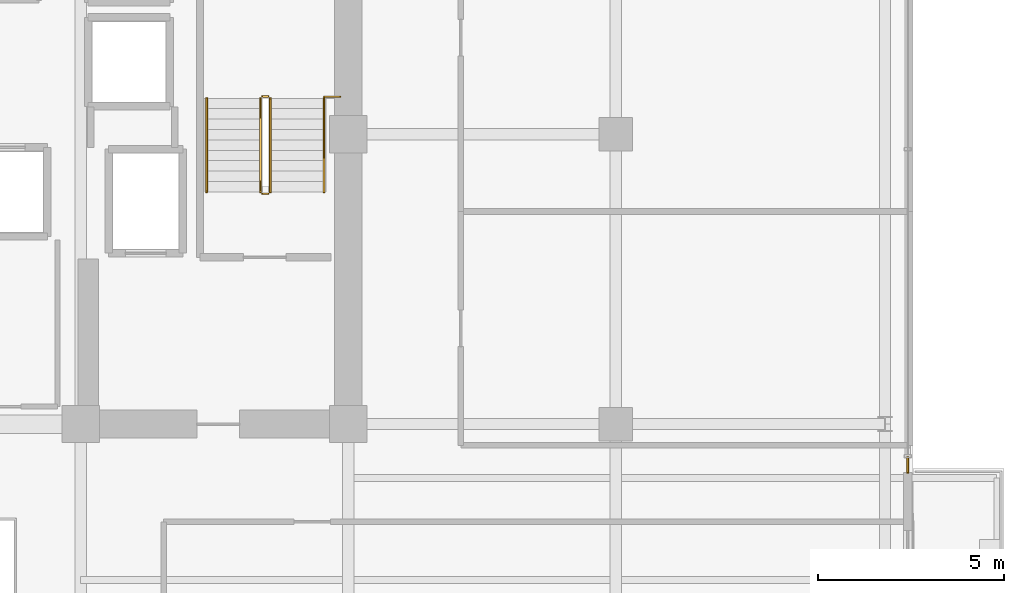
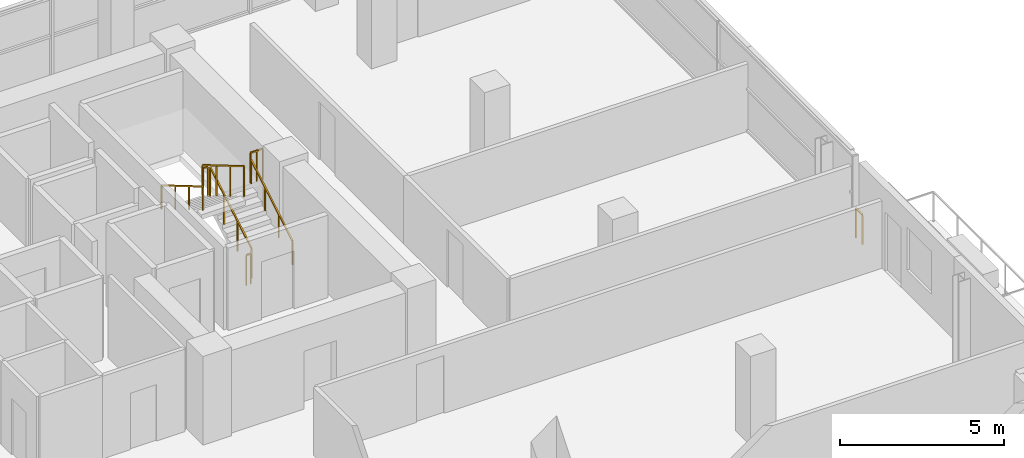
# One storey, part 23 of 24: 8 railings.
"""IFC4 building model written with IfcOpenShell, lengths in metres."""

from ifc_helpers import new_model, si_unit, direction, frame, origin, origin_2d, place, context, subcontext, project, spatial, rectangle, extrude, material, type_object, element, save


model = new_model("IFC4")

# Units and contexts
model_context = context("Model", 3, precision=1e-05, world=origin(), true_north=direction((0.0, 1.0)))
body_context = subcontext(model_context, "Body", "Model", "MODEL_VIEW")
ifc_project = project(units=[si_unit("LENGTHUNIT", "METRE"), si_unit("AREAUNIT", "SQUARE_METRE"), si_unit("VOLUMEUNIT", "CUBIC_METRE"), si_unit("PLANEANGLEUNIT", "RADIAN"), si_unit("MASSUNIT", "GRAM", prefix="KILO")], contexts=[model_context])

# Site, building, storey
site_placement = place(None, origin())
site = spatial("IfcSite", under=ifc_project, at=site_placement, CompositionType="ELEMENT")
building_placement = place(site_placement, origin())
building = spatial("IfcBuilding", under=site, at=building_placement, Name="Zarnakvel Exchange Tower", CompositionType="ELEMENT")
storey_placement = place(building_placement, frame((0.0, 0.0, 119.800048828125)))
storey = spatial("IfcBuildingStorey", under=building, at=storey_placement, Name="L33", CompositionType="ELEMENT", Elevation=119.800048828125)

# Railings
ifc_material_1 = material(Name="Architectural Bronze Anodised Aluminium", Category="aluminium")
railing_type_1 = type_object("IfcRailingType", Name="GR-02", PredefinedType="GUARDRAIL", material=ifc_material_1)
railing_1_placement = place(storey_placement, frame((29.4599609375, -2.10009765625, 0.0)))
element("IfcRailing", 1, at=railing_1_placement, inside=storey, type_object=railing_type_1, Name="L33 Corner Spandrel Balustrade #9", PredefinedType="GUARDRAIL", context=body_context, shape_type="SweptSolid", body=[
    extrude(rectangle(XDim=0.048095703125, YDim=0.048095703125, at=origin_2d()), frame((0.0, 0.0, 1.09619140625), z_axis=(0.0, -1.0, 0.0), x_axis=(1.0, 0.0, 0.0)), (0.0, 0.0, 1.0), 0.39990234375),
    extrude(rectangle(XDim=0.0419921875, YDim=0.0419921875, at=origin_2d()), origin(), (0.0, 0.0, 1.0), 1.072021484375),
    extrude(rectangle(XDim=0.0419921875, YDim=0.0419921875, at=origin_2d()), frame((0.0, -0.39990234375, 0.0)), (0.0, 0.0, 1.0), 1.072021484375),
])
ifc_material_2 = material(Name="Brushed Stainless Steel", Category="steel")
railing_type_2 = type_object("IfcRailingType", Name="HR-01", PredefinedType="HANDRAIL", material=ifc_material_2)
railing_2_placement = place(storey_placement, frame((13.75, 5.050048828125, 0.1650390625)))
element("IfcRailing", 2, at=railing_2_placement, inside=storey, type_object=railing_type_2, Name="L33 ST-02 stair handrail 1", PredefinedType="HANDRAIL", context=body_context, shape_type="SweptSolid", body=[
    extrude(rectangle(XDim=0.048095703125, YDim=0.048095703125, at=origin_2d()), frame((0.0, 0.0, 0.8759765625), z_axis=(0.0, 0.861560626758, 0.507654692109), x_axis=(-1.0, 0.0, 0.0)), (0.0, 0.0, 1.0), 2.925048828125),
    extrude(rectangle(XDim=0.0419921875, YDim=0.0419921875, at=origin_2d()), origin(), (0.0, 0.0, 1.0), 0.851806640625),
    extrude(rectangle(XDim=0.0419921875, YDim=0.0419921875, at=origin_2d()), frame((0.0, 0.840087890625, 0.494873046875)), (0.0, 0.0, 1.0), 0.851806640625),
    extrude(rectangle(XDim=0.0419921875, YDim=0.0419921875, at=origin_2d()), frame((0.0, 1.679931640625, 0.989990234375)), (0.0, 0.0, 1.0), 0.851806640625),
    extrude(rectangle(XDim=0.0419921875, YDim=0.0419921875, at=origin_2d()), frame((0.0, 2.52001953125, 1.48486328125)), (0.0, 0.0, 1.0), 0.851806640625),
])
railing_3_placement = place(storey_placement, frame((10.590087890625, 7.570068359375, 1.81494140625)))
element("IfcRailing", 3, at=railing_3_placement, inside=storey, type_object=railing_type_2, Name="L33 ST-02 stair handrail 2", PredefinedType="HANDRAIL", context=body_context, shape_type="SweptSolid", body=[
    extrude(rectangle(XDim=0.048095703125, YDim=0.048095703125, at=origin_2d()), frame((0.0, 0.0, 0.8759765625), z_axis=(0.0, -0.86152411907, 0.507716645641), x_axis=(1.0, 0.0, 0.0)), (0.0, 0.0, 1.0), 2.925048828125),
    extrude(rectangle(XDim=0.0419921875, YDim=0.0419921875, at=origin_2d()), origin(), (0.0, 0.0, 1.0), 0.851806640625),
    extrude(rectangle(XDim=0.0419921875, YDim=0.0419921875, at=origin_2d()), frame((0.0, -0.840087890625, 0.4951171875)), (0.0, 0.0, 1.0), 0.851806640625),
    extrude(rectangle(XDim=0.0419921875, YDim=0.0419921875, at=origin_2d()), frame((0.0, -1.679931640625, 0.989990234375)), (0.0, 0.0, 1.0), 0.851806640625),
    extrude(rectangle(XDim=0.0419921875, YDim=0.0419921875, at=origin_2d()), frame((0.0, -2.52001953125, 1.485107421875)), (0.0, 0.0, 1.0), 0.851806640625),
])
railing_type_3 = type_object("IfcRailingType", Name="SG-01", PredefinedType="GUARDRAIL", material=ifc_material_1)
railing_4_placement = place(storey_placement, frame((12.300048828125, 5.050048828125, 0.1650390625)))
element("IfcRailing", 4, at=railing_4_placement, inside=storey, type_object=railing_type_3, Name="L33 ST-02 stair guard 1", PredefinedType="GUARDRAIL", context=body_context, shape_type="SweptSolid", body=[
    extrude(rectangle(XDim=0.048095703125, YDim=0.048095703125, at=origin_2d()), frame((0.0, 0.0, 1.1259765625), z_axis=(0.0, 0.861560626758, 0.507654692109), x_axis=(-1.0, 0.0, 0.0)), (0.0, 0.0, 1.0), 2.925048828125),
    extrude(rectangle(XDim=0.0419921875, YDim=0.0419921875, at=origin_2d()), origin(), (0.0, 0.0, 1.0), 1.101806640625),
    extrude(rectangle(XDim=0.0419921875, YDim=0.0419921875, at=origin_2d()), frame((0.0, 0.840087890625, 0.494873046875)), (0.0, 0.0, 1.0), 1.101806640625),
    extrude(rectangle(XDim=0.0419921875, YDim=0.0419921875, at=origin_2d()), frame((0.0, 1.679931640625, 0.989990234375)), (0.0, 0.0, 1.0), 1.101806640625),
    extrude(rectangle(XDim=0.0419921875, YDim=0.0419921875, at=origin_2d()), frame((0.0, 2.52001953125, 1.48486328125)), (0.0, 0.0, 1.0), 1.101806640625),
])
railing_5_placement = place(storey_placement, frame((12.25, 7.6201171875, 1.64990234375)))
element("IfcRailing", 5, at=railing_5_placement, inside=storey, type_object=railing_type_3, Name="L33 ST-02 stair guard 2", PredefinedType="GUARDRAIL", context=body_context, shape_type="SweptSolid", body=[
    extrude(rectangle(XDim=0.048095703125, YDim=0.048095703125, at=origin_2d()), frame((0.0, 0.0, 1.1259765625), z_axis=(-1.0, 0.0, 0.0), x_axis=(0.0, -1.0, 0.0)), (0.0, 0.0, 1.0), 0.159912109375),
    extrude(rectangle(XDim=0.0419921875, YDim=0.0419921875, at=origin_2d()), origin(), (0.0, 0.0, 1.0), 1.101806640625),
    extrude(rectangle(XDim=0.0419921875, YDim=0.0419921875, at=origin_2d()), frame((-0.159912109375, 0.0, 0.0)), (0.0, 0.0, 1.0), 1.101806640625),
])
railing_6_placement = place(storey_placement, frame((12.0400390625, 7.570068359375, 1.81494140625)))
element("IfcRailing", 6, at=railing_6_placement, inside=storey, type_object=railing_type_3, Name="L33 ST-02 stair guard 3", PredefinedType="GUARDRAIL", context=body_context, shape_type="SweptSolid", body=[
    extrude(rectangle(XDim=0.048095703125, YDim=0.048095703125, at=origin_2d()), frame((0.0, 0.0, 1.1259765625), z_axis=(0.0, -0.86152411907, 0.507716645641), x_axis=(1.0, 0.0, 0.0)), (0.0, 0.0, 1.0), 2.925048828125),
    extrude(rectangle(XDim=0.0419921875, YDim=0.0419921875, at=origin_2d()), origin(), (0.0, 0.0, 1.0), 1.101806640625),
    extrude(rectangle(XDim=0.0419921875, YDim=0.0419921875, at=origin_2d()), frame((0.0, -0.840087890625, 0.4951171875)), (0.0, 0.0, 1.0), 1.101806640625),
    extrude(rectangle(XDim=0.0419921875, YDim=0.0419921875, at=origin_2d()), frame((0.0, -1.679931640625, 0.989990234375)), (0.0, 0.0, 1.0), 1.101806640625),
    extrude(rectangle(XDim=0.0419921875, YDim=0.0419921875, at=origin_2d()), frame((0.0, -2.52001953125, 1.485107421875)), (0.0, 0.0, 1.0), 1.101806640625),
])
railing_7_placement = place(storey_placement, frame((12.25, 5.0, 0.0)))
element("IfcRailing", 7, at=railing_7_placement, inside=storey, type_object=railing_type_3, Name="L33 ST-02 stair guard 4", PredefinedType="GUARDRAIL", context=body_context, shape_type="SweptSolid", body=[
    extrude(rectangle(XDim=0.048095703125, YDim=0.048095703125, at=origin_2d()), frame((0.0, 0.0, 1.1259765625), z_axis=(-1.0, 0.0, 0.0), x_axis=(0.0, -1.0, 0.0)), (0.0, 0.0, 1.0), 0.159912109375),
    extrude(rectangle(XDim=0.0419921875, YDim=0.0419921875, at=origin_2d()), origin(), (0.0, 0.0, 1.0), 1.101806640625),
    extrude(rectangle(XDim=0.0419921875, YDim=0.0419921875, at=origin_2d()), frame((-0.159912109375, 0.0, 0.0)), (0.0, 0.0, 1.0), 1.101806640625),
])
railing_8_placement = place(storey_placement, frame((13.75, 7.610107421875, 1.64990234375)))
element("IfcRailing", 8, at=railing_8_placement, inside=storey, type_object=railing_type_3, Name="L33 ST-02 Landing Slot Guardrail", PredefinedType="GUARDRAIL", context=body_context, shape_type="SweptSolid", body=[
    extrude(rectangle(XDim=0.048095703125, YDim=0.048095703125, at=origin_2d()), frame((0.0, 0.0, 1.1259765625), z_axis=(1.0, 0.0, 0.0), x_axis=(0.0, 1.0, 0.0)), (0.0, 0.0, 1.0), 0.429931640625),
    extrude(rectangle(XDim=0.0419921875, YDim=0.0419921875, at=origin_2d()), origin(), (0.0, 0.0, 1.0), 1.101806640625),
    extrude(rectangle(XDim=0.0419921875, YDim=0.0419921875, at=origin_2d()), frame((0.21484375, 0.0, 0.0)), (0.0, 0.0, 1.0), 1.101806640625),
    extrude(rectangle(XDim=0.0419921875, YDim=0.0419921875, at=origin_2d()), frame((0.429931640625, 0.0, 0.0)), (0.0, 0.0, 1.0), 1.101806640625),
])

save(model, "model.ifc")
